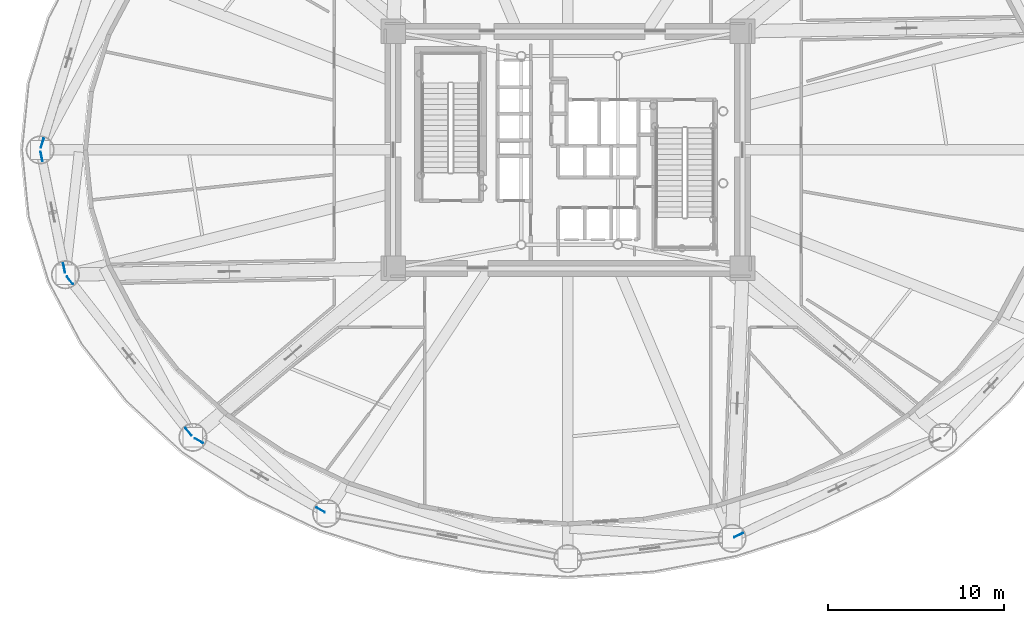
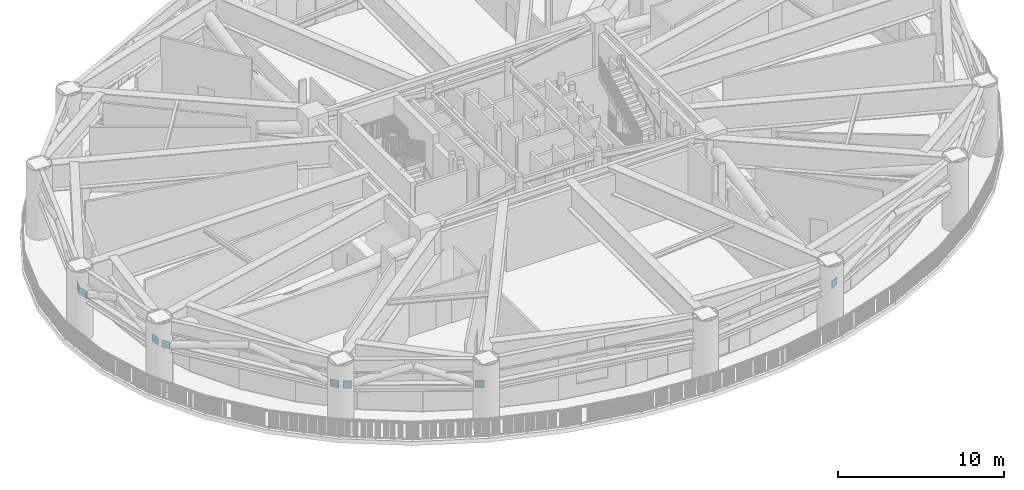
# One storey, part 8 of 22: 8 plates.
"""IFC4 building model written with IfcOpenShell, lengths in metres."""

from ifc_helpers import new_model, si_unit, direction, frame, origin, origin_2d, place, context, subcontext, project, spatial, rectangle, extrude, source, transform, mapped, material, layer, layer_set, type_object, element, save


model = new_model("IFC4")

# Units and contexts
model_context = context("Model", 3, precision=1e-05, world=origin(), true_north=direction((0.0, 1.0)))
body_context = subcontext(model_context, "Body", "Model", "MODEL_VIEW")
ifc_project = project(units=[si_unit("LENGTHUNIT", "METRE"), si_unit("AREAUNIT", "SQUARE_METRE"), si_unit("VOLUMEUNIT", "CUBIC_METRE"), si_unit("PLANEANGLEUNIT", "RADIAN"), si_unit("MASSUNIT", "GRAM", prefix="KILO")], contexts=[model_context])

# Site, building, storey
site_placement = place(None, origin())
site = spatial("IfcSite", under=ifc_project, at=site_placement, CompositionType="ELEMENT")
building_placement = place(site_placement, origin())
building = spatial("IfcBuilding", under=site, at=building_placement, Name="Linh Dai School and Residence Tower", CompositionType="ELEMENT")
storey_placement = place(building_placement, frame((0.0, 0.0, 87.0)))
storey = spatial("IfcBuildingStorey", under=building, at=storey_placement, Name="L20", CompositionType="ELEMENT", Elevation=87.0)

# Plates
ifc_material = material(Name="Structural Steel S355JR", Category="steel")
ifc_layer = layer(ifc_material, 0.0400390625)
ifc_layer_set = layer_set([ifc_layer], Name="Structural Steel S355JR")
plate_type = type_object("IfcPlateType", Name="PLT-GP1", PredefinedType="USERDEFINED", material=ifc_layer_set)
shared_shape = source(origin(), body_context, "Body", "SweptSolid", [
    extrude(rectangle(XDim=0.550048828125, YDim=0.0400390625, at=origin_2d()), origin(), (0.0, 0.0, 1.0), 0.550048828125),
])
for number, where, z_axis, x_axis, name in (
    (1, (6.068603515625, 27.38623046875, 2.8896484375), (0.0, 0.0, 1.0), (-0.293657555286, -0.955910686321, 0.0), "L20 Belt Truss BT2 Root End Gusset 08B"),
    (2, (6.026611328125, 26.62158203125, 2.93994140625), (0.0, 0.0, 1.0), (0.198437329692, -0.980113578206, 0.0), "L20 Belt Truss BT2 Root End Gusset 09A"),
    (3, (7.3125, 20.27001953125, 2.93994140625), (0.0, 0.0, 1.0), (0.198437329692, -0.980113578206, 0.0), "L20 Belt Truss BT2 Root End Gusset 09B"),
    (4, (7.6396484375, 19.57177734375, 2.8818359375), (0.0, 0.0, 1.0), (0.616865363532, -0.787068690315, 0.0), "L20 Belt Truss BT2 Root End Gusset 10A"),
    (5, (14.396728515625, 10.950439453125, 2.8818359375), (0.0, 0.0, 1.0), (0.616865363532, -0.787068690315, 0.0), "L20 Belt Truss BT2 Root End Gusset 10B"),
    (6, (14.991455078125, 10.43505859375, 2.9150390625), (0.0, 0.0, 1.0), (0.869278262826, -0.494323074293, 0.0), "L20 Belt Truss BT2 Root End Gusset 11A"),
    (7, (21.91748046875, 6.49658203125, 2.9150390625), (0.0, 0.0, 1.0), (0.869278262826, -0.494323074293, 0.0), "L20 Belt Truss BT2 Root End Gusset 11B"),
    (8, (45.7265625, 5.05712890625, 2.8701171875), (0.0, 0.0, 1.0), (0.901726332669, 0.432307322367, 0.0), "L20 Belt Truss BT2 Root End Gusset 14A"),
):
    element("IfcPlate", number, at=place(storey_placement, frame(where, z_axis=z_axis, x_axis=x_axis)), inside=storey, type_object=plate_type, Name=name, ObjectType="GUSSET PLATE", PredefinedType="USERDEFINED", context=body_context, shape_type="MappedRepresentation", body=[
        mapped(shared_shape, transform((0.0, 0.0, 0.0), x_axis=(1.0, 0.0, 0.0), y_axis=(0.0, 1.0, 0.0), z_axis=(0.0, 0.0, 1.0), scale=1.0)),
    ])

save(model, "model.ifc")
